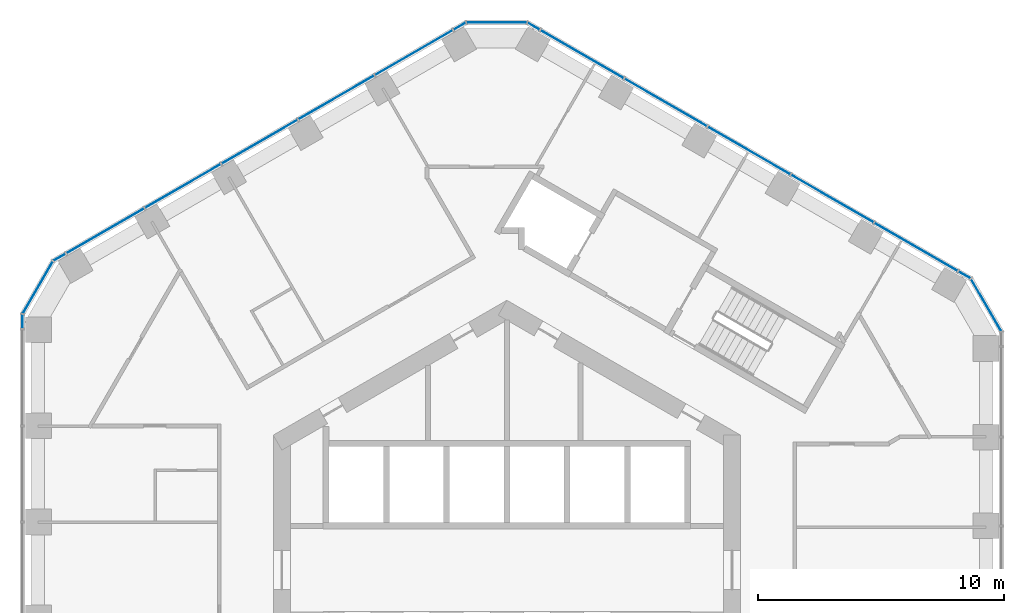
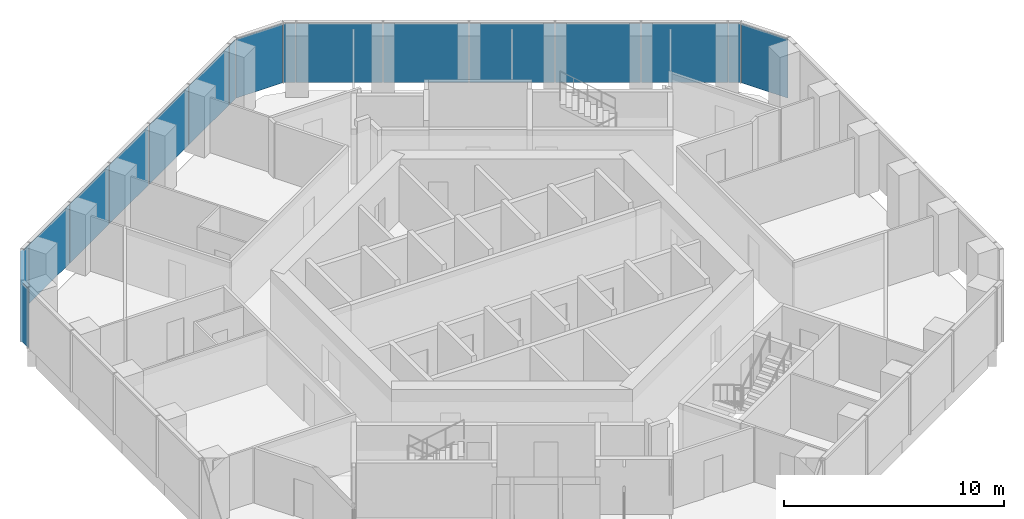
# One storey, part 12 of 19: 18 plates, 5 elements without a shape of their own.
"""IFC4 building model written with IfcOpenShell, lengths in metres."""

from ifc_helpers import new_model, si_unit, direction, frame, origin, origin_2d, place, context, subcontext, project, spatial, rectangle, extrude, material, layer, layer_set, type_object, element, aggregate, save


model = new_model("IFC4")

# Units and contexts
model_context = context("Model", 3, precision=1e-05, world=origin(), true_north=direction((0.0, 1.0)))
body_context = subcontext(model_context, "Body", "Model", "MODEL_VIEW")
ifc_project = project(units=[si_unit("LENGTHUNIT", "METRE"), si_unit("AREAUNIT", "SQUARE_METRE"), si_unit("VOLUMEUNIT", "CUBIC_METRE"), si_unit("PLANEANGLEUNIT", "RADIAN"), si_unit("MASSUNIT", "GRAM", prefix="KILO")], contexts=[model_context])

# Site, building, storey
site_placement = place(None, origin())
site = spatial("IfcSite", under=ifc_project, at=site_placement, CompositionType="ELEMENT")
building_placement = place(site_placement, origin())
building = spatial("IfcBuilding", under=site, at=building_placement, Name="Ayvan Gate Tower", CompositionType="ELEMENT")
storey_placement = place(building_placement, frame((0.0, 0.0, 106.89990234375)))
storey = spatial("IfcBuildingStorey", under=building, at=storey_placement, Name="L28", CompositionType="ELEMENT", Elevation=106.89990234375)

# Curtain wall, plates
ifc_material_1 = material(Name="Bronze anodised aluminium", Category="aluminium")
ifc_layer_1 = layer(ifc_material_1, 0.199951171875)
ifc_layer_set_1 = layer_set([ifc_layer_1], Name="Bronze anodised aluminium")
curtain_wall_type_1 = type_object("IfcCurtainWallType", Name="Stick curtain wall CW-1", PredefinedType="NOTDEFINED", material=ifc_layer_set_1)
curtain_wall_1_placement = place(storey_placement, origin())
curtain_wall_1 = element("IfcCurtainWall", 1, at=curtain_wall_1_placement, inside=storey, type_object=curtain_wall_type_1, Name="Stick curtain wall CW-1 L28", PredefinedType="NOTDEFINED")
ifc_material_2 = material(Name="Clear low-iron laminated glass", Category="glass")
ifc_layer_2 = layer(ifc_material_2, 0.028076171875)
ifc_layer_set_2 = layer_set([ifc_layer_2], Name="Clear low-iron laminated glass")
plate_type_1 = type_object("IfcPlateType", Name="Stick curtain wall CW-1 glass panel", PredefinedType="CURTAIN_PANEL", material=ifc_layer_set_2)
plate_1_placement = place(storey_placement, frame((-3.7666015625, 21.047119140625, 0.0), z_axis=(0.0, 0.0, 1.0), x_axis=(-0.866025403784, -0.5, 0.0)))
plate_1 = element("IfcPlate", 2, at=plate_1_placement, type_object=plate_type_1, Name="CW-1 glass panel 1", PredefinedType="CURTAIN_PANEL", context=body_context, shape_type="SweptSolid", body=[
    extrude(rectangle(XDim=3.657958984375, YDim=0.028076171875, at=origin_2d()), origin(), (0.0, 0.0, 1.0), 3.280029296875),
])
plate_2_placement = place(storey_placement, frame((-6.936279296875, 19.217041015625, 0.0), z_axis=(0.0, 0.0, 1.0), x_axis=(-0.866025403784, -0.5, 0.0)))
plate_2 = element("IfcPlate", 3, at=plate_2_placement, type_object=plate_type_1, Name="CW-1 glass panel 2", PredefinedType="CURTAIN_PANEL", context=body_context, shape_type="SweptSolid", body=[
    extrude(rectangle(XDim=3.5419921875, YDim=0.028076171875, at=origin_2d()), origin(), (0.0, 0.0, 1.0), 3.280029296875),
])
plate_3_placement = place(storey_placement, frame((-10.05517578125, 17.416259765625, 0.0), z_axis=(0.0, 0.0, 1.0), x_axis=(-0.866025403784, -0.5, 0.0)))
plate_3 = element("IfcPlate", 4, at=plate_3_placement, type_object=plate_type_1, Name="CW-1 glass panel 3", PredefinedType="CURTAIN_PANEL", context=body_context, shape_type="SweptSolid", body=[
    extrude(rectangle(XDim=3.541015625, YDim=0.028076171875, at=origin_2d()), origin(), (0.0, 0.0, 1.0), 3.280029296875),
])
plate_4_placement = place(storey_placement, frame((-13.17431640625, 15.615478515625, 0.0), z_axis=(0.0, 0.0, 1.0), x_axis=(-0.866025403784, -0.5, 0.0)))
plate_4 = element("IfcPlate", 5, at=plate_4_placement, type_object=plate_type_1, Name="CW-1 glass panel 4", PredefinedType="CURTAIN_PANEL", context=body_context, shape_type="SweptSolid", body=[
    extrude(rectangle(XDim=3.5419921875, YDim=0.028076171875, at=origin_2d()), origin(), (0.0, 0.0, 1.0), 3.280029296875),
])
plate_5_placement = place(storey_placement, frame((-16.343994140625, 13.785400390625, 0.0), z_axis=(0.0, 0.0, 1.0), x_axis=(-0.866025403784, -0.5, 0.0)))
plate_5 = element("IfcPlate", 6, at=plate_5_placement, type_object=plate_type_1, Name="CW-1 glass panel 5", PredefinedType="CURTAIN_PANEL", context=body_context, shape_type="SweptSolid", body=[
    extrude(rectangle(XDim=3.657958984375, YDim=0.028076171875, at=origin_2d()), origin(), (0.0, 0.0, 1.0), 3.280029296875),
])
aggregate(curtain_wall_1, [plate_1, plate_2, plate_3, plate_4, plate_5])

curtain_wall_2_placement = place(storey_placement, origin())
curtain_wall_2 = element("IfcCurtainWall", 7, at=curtain_wall_2_placement, inside=storey, type_object=curtain_wall_type_1, Name="Stick curtain wall CW-1 L28", PredefinedType="NOTDEFINED")
plate_6_placement = place(storey_placement, frame((16.648193359375, 13.130126953125, 0.0), z_axis=(0.0, 0.0, 1.0), x_axis=(-0.866025403784, 0.5, 0.0)))
plate_6 = element("IfcPlate", 8, at=plate_6_placement, type_object=plate_type_1, Name="CW-1 glass panel 1", PredefinedType="CURTAIN_PANEL", context=body_context, shape_type="SweptSolid", body=[
    extrude(rectangle(XDim=3.9150390625, YDim=0.028076171875, at=origin_2d()), origin(), (0.0, 0.0, 1.0), 3.280029296875),
])
plate_7_placement = place(storey_placement, frame((13.23388671875, 15.1015625, 0.0), z_axis=(0.0, 0.0, 1.0), x_axis=(-0.866025403784, 0.5, 0.0)))
plate_7 = element("IfcPlate", 9, at=plate_7_placement, type_object=plate_type_1, Name="CW-1 glass panel 2", PredefinedType="CURTAIN_PANEL", context=body_context, shape_type="SweptSolid", body=[
    extrude(rectangle(XDim=3.85009765625, YDim=0.028076171875, at=origin_2d()), origin(), (0.0, 0.0, 1.0), 3.280029296875),
])
plate_8_placement = place(storey_placement, frame((9.84765625, 17.056396484375, 0.0), z_axis=(0.0, 0.0, 1.0), x_axis=(-0.866025403784, 0.5, 0.0)))
plate_8 = element("IfcPlate", 10, at=plate_8_placement, type_object=plate_type_1, Name="CW-1 glass panel 3", PredefinedType="CURTAIN_PANEL", context=body_context, shape_type="SweptSolid", body=[
    extrude(rectangle(XDim=3.85009765625, YDim=0.028076171875, at=origin_2d()), origin(), (0.0, 0.0, 1.0), 3.280029296875),
])
plate_9_placement = place(storey_placement, frame((6.46142578125, 19.011474609375, 0.0), z_axis=(0.0, 0.0, 1.0), x_axis=(-0.866025403784, 0.5, 0.0)))
plate_9 = element("IfcPlate", 11, at=plate_9_placement, type_object=plate_type_1, Name="CW-1 glass panel 4", PredefinedType="CURTAIN_PANEL", context=body_context, shape_type="SweptSolid", body=[
    extrude(rectangle(XDim=3.85009765625, YDim=0.028076171875, at=origin_2d()), origin(), (0.0, 0.0, 1.0), 3.280029296875),
])
plate_10_placement = place(storey_placement, frame((3.047119140625, 20.982666015625, 0.0), z_axis=(0.0, 0.0, 1.0), x_axis=(-0.866025403784, 0.5, 0.0)))
plate_10 = element("IfcPlate", 12, at=plate_10_placement, type_object=plate_type_1, Name="CW-1 glass panel 5", PredefinedType="CURTAIN_PANEL", context=body_context, shape_type="SweptSolid", body=[
    extrude(rectangle(XDim=3.915283203125, YDim=0.028076171875, at=origin_2d()), origin(), (0.0, 0.0, 1.0), 3.280029296875),
])
aggregate(curtain_wall_2, [plate_6, plate_7, plate_8, plate_9, plate_10])

ifc_layer_3 = layer(ifc_material_1, 0.199951171875)
ifc_layer_set_3 = layer_set([ifc_layer_3], Name="Bronze anodised aluminium")
curtain_wall_type_2 = type_object("IfcCurtainWallType", Name="Stick curtain wall CW-6", PredefinedType="NOTDEFINED", material=ifc_layer_set_3)
curtain_wall_3_placement = place(storey_placement, origin())
curtain_wall_3 = element("IfcCurtainWall", 13, at=curtain_wall_3_placement, inside=storey, type_object=curtain_wall_type_2, Name="Stick curtain wall CW-6 L28", PredefinedType="NOTDEFINED")
ifc_layer_4 = layer(ifc_material_2, 0.028076171875)
ifc_layer_set_4 = layer_set([ifc_layer_4], Name="Clear low-iron laminated glass")
plate_type_2 = type_object("IfcPlateType", Name="Stick curtain wall CW-6 glass panel", PredefinedType="CURTAIN_PANEL", material=ifc_layer_set_4)
plate_11_placement = place(storey_placement, frame((-18.192138671875, 12.718505859375, 0.0), z_axis=(0.0, 0.0, 1.0), x_axis=(-0.866025403784, -0.5, 0.0)))
plate_11 = element("IfcPlate", 14, at=plate_11_placement, type_object=plate_type_2, Name="CW-6 glass panel 1", PredefinedType="CURTAIN_PANEL", context=body_context, shape_type="SweptSolid", body=[
    extrude(rectangle(XDim=0.550048828125, YDim=0.028076171875, at=origin_2d()), origin(), (0.0, 0.0, 1.0), 3.280029296875),
])
plate_12_placement = place(storey_placement, frame((-19.073486328125, 11.49169921875, 0.0), z_axis=(0.0, 0.0, 1.0), x_axis=(-0.5, -0.866025403784, 0.0)))
plate_12 = element("IfcPlate", 15, at=plate_12_placement, type_object=plate_type_2, Name="CW-6 glass panel 2", PredefinedType="CURTAIN_PANEL", context=body_context, shape_type="SweptSolid", body=[
    extrude(rectangle(XDim=2.4365234375, YDim=0.028076171875, at=origin_2d()), origin(), (0.0, 0.0, 1.0), 3.280029296875),
])
plate_13_placement = place(storey_placement, frame((-19.695068359375, 10.114990234375, 0.0), z_axis=(0.0, 0.0, 1.0), x_axis=(0.0, -1.0, 0.0)))
plate_13 = element("IfcPlate", 16, at=plate_13_placement, type_object=plate_type_2, Name="CW-6 glass panel 3", PredefinedType="CURTAIN_PANEL", context=body_context, shape_type="SweptSolid", body=[
    extrude(rectangle(XDim=0.550048828125, YDim=0.028076171875, at=origin_2d()), origin(), (0.0, 0.0, 1.0), 3.280029296875),
])
aggregate(curtain_wall_3, [plate_11, plate_12, plate_13])

curtain_wall_4_placement = place(storey_placement, origin())
curtain_wall_4 = element("IfcCurtainWall", 17, at=curtain_wall_4_placement, inside=storey, type_object=curtain_wall_type_2, Name="Stick curtain wall CW-6 L28", PredefinedType="NOTDEFINED")
plate_14_placement = place(storey_placement, frame((19.489013671875, 10.772216796875, 0.0), z_axis=(0.0, 0.0, 1.0), x_axis=(-0.5, 0.866025403784, 0.0)))
plate_14 = element("IfcPlate", 18, at=plate_14_placement, type_object=plate_type_2, Name="CW-6 glass panel 2", PredefinedType="CURTAIN_PANEL", context=body_context, shape_type="SweptSolid", body=[
    extrude(rectangle(XDim=2.4365234375, YDim=0.028076171875, at=origin_2d()), origin(), (0.0, 0.0, 1.0), 3.280029296875),
])
plate_15_placement = place(storey_placement, frame((18.607421875, 11.9990234375, 0.0), z_axis=(0.0, 0.0, 1.0), x_axis=(-0.866025403784, 0.5, 0.0)))
plate_15 = element("IfcPlate", 19, at=plate_15_placement, type_object=plate_type_2, Name="CW-6 glass panel 3", PredefinedType="CURTAIN_PANEL", context=body_context, shape_type="SweptSolid", body=[
    extrude(rectangle(XDim=0.550048828125, YDim=0.028076171875, at=origin_2d()), origin(), (0.0, 0.0, 1.0), 3.280029296875),
])
aggregate(curtain_wall_4, [plate_14, plate_15])

curtain_wall_5_placement = place(storey_placement, origin())
curtain_wall_5 = element("IfcCurtainWall", 20, at=curtain_wall_5_placement, inside=storey, type_object=curtain_wall_type_2, Name="Stick curtain wall CW-6 L28", PredefinedType="NOTDEFINED")
plate_16_placement = place(storey_placement, frame((1.087646484375, 22.114013671875, 0.0), z_axis=(0.0, 0.0, 1.0), x_axis=(-0.866025403784, 0.5, 0.0)))
plate_16 = element("IfcPlate", 21, at=plate_16_placement, type_object=plate_type_2, Name="CW-6 glass panel 1", PredefinedType="CURTAIN_PANEL", context=body_context, shape_type="SweptSolid", body=[
    extrude(rectangle(XDim=0.550048828125, YDim=0.028076171875, at=origin_2d()), origin(), (0.0, 0.0, 1.0), 3.280029296875),
])
plate_17_placement = place(storey_placement, frame((-0.41552734375, 22.263916015625, 0.0), z_axis=(0.0, 0.0, 1.0), x_axis=(-1.0, 0.0, 0.0)))
plate_17 = element("IfcPlate", 22, at=plate_17_placement, type_object=plate_type_2, Name="CW-6 glass panel 2", PredefinedType="CURTAIN_PANEL", context=body_context, shape_type="SweptSolid", body=[
    extrude(rectangle(XDim=2.4365234375, YDim=0.028076171875, at=origin_2d()), origin(), (0.0, 0.0, 1.0), 3.280029296875),
])
plate_18_placement = place(storey_placement, frame((-1.91845703125, 22.114013671875, 0.0), z_axis=(0.0, 0.0, 1.0), x_axis=(-0.866025403784, -0.5, 0.0)))
plate_18 = element("IfcPlate", 23, at=plate_18_placement, type_object=plate_type_2, Name="CW-6 glass panel 3", PredefinedType="CURTAIN_PANEL", context=body_context, shape_type="SweptSolid", body=[
    extrude(rectangle(XDim=0.550048828125, YDim=0.028076171875, at=origin_2d()), origin(), (0.0, 0.0, 1.0), 3.280029296875),
])
aggregate(curtain_wall_5, [plate_16, plate_17, plate_18])

save(model, "model.ifc")
